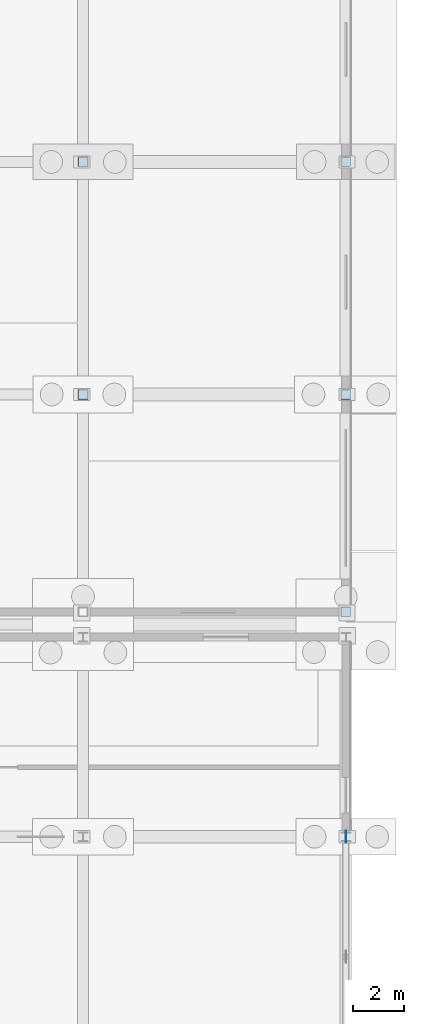
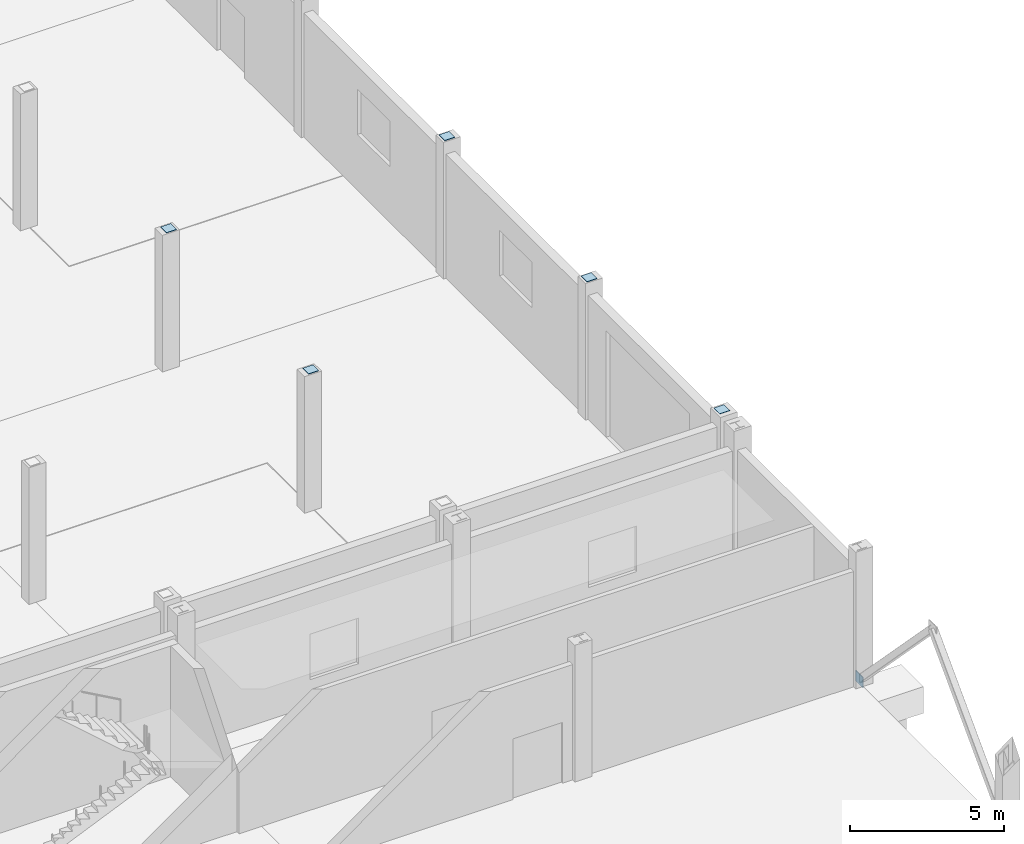
# One storey, part 48 of 83: 6 plates.
"""IFC4 building model written with IfcOpenShell, lengths in metres."""

from ifc_helpers import new_model, si_unit, direction, frame, origin, origin_2d, place, context, subcontext, project, spatial, rectangle, extrude, material, layer, layer_set, type_object, element, save


model = new_model("IFC4")

# Units and contexts
model_context = context("Model", 3, precision=1e-05, world=origin(), true_north=direction((0.0, 1.0)))
body_context = subcontext(model_context, "Body", "Model", "MODEL_VIEW")
ifc_project = project(units=[si_unit("LENGTHUNIT", "METRE"), si_unit("AREAUNIT", "SQUARE_METRE"), si_unit("VOLUMEUNIT", "CUBIC_METRE"), si_unit("PLANEANGLEUNIT", "RADIAN"), si_unit("MASSUNIT", "GRAM", prefix="KILO")], contexts=[model_context])

# Site, building, storey
site_placement = place(None, origin())
site = spatial("IfcSite", under=ifc_project, at=site_placement, CompositionType="ELEMENT")
building_placement = place(site_placement, origin())
building = spatial("IfcBuilding", under=site, at=building_placement, Name="Caurita Quay Ferry Terminal", CompositionType="ELEMENT")
storey_placement = place(building_placement, origin())
storey = spatial("IfcBuildingStorey", under=building, at=storey_placement, Name="L00", CompositionType="ELEMENT", Elevation=0.0)

# Plates
ifc_material = material(Name="Structural plate steel ASTM A572 Gr. 50", Category="steel")
ifc_layer = layer(ifc_material, 0.01806640625, Name="Structural steel connection plate 18 mm")
ifc_layer_set = layer_set([ifc_layer], Name="Structural plate steel ASTM A572 Gr. 50")
plate_type = type_object("IfcPlateType", Name="PLT-STL-18", PredefinedType="USERDEFINED", material=ifc_layer_set)
for number, where, z_axis, x_axis, name in (
    (1, (163.60009765625, 80.199951171875, 5.39892578125), (0.0, 0.0, 1.0), (1.0, 0.0, 0.0), "L00 Hollow Column End-Cap Plate V4-18-M"),
    (2, (163.60009765625, 89.39990234375, 5.39892578125), (0.0, 0.0, 1.0), (1.0, 0.0, 0.0), "L00 Hollow Column End-Cap Plate V4-18-N"),
    (3, (174.0, 71.60009765625, 5.39892578125), (0.0, 0.0, 1.0), (1.0, 0.0, 0.0), "L00 Hollow Column End-Cap Plate V4-19-L"),
    (4, (174.0, 80.199951171875, 5.39892578125), (0.0, 0.0, 1.0), (1.0, 0.0, 0.0), "L00 Hollow Column End-Cap Plate V4-19-M"),
    (5, (174.0, 89.39990234375, 5.39892578125), (0.0, 0.0, 1.0), (1.0, 0.0, 0.0), "L00 Hollow Column End-Cap Plate V4-19-N"),
):
    element("IfcPlate", number, at=place(storey_placement, frame(where, z_axis=z_axis, x_axis=x_axis)), inside=storey, type_object=plate_type, Name=name, ObjectType="GUSSET PLATE", PredefinedType="USERDEFINED", context=body_context, shape_type="SweptSolid", body=[
        extrude(rectangle(XDim=0.3798828125, YDim=0.3798828125, at=origin_2d()), origin(), (0.0, 0.0, 1.0), 0.01806640625),
    ])
plate_placement = place(storey_placement, frame((174.0, 62.699951171875, -0.06005859375), z_axis=(0.0, 0.0, 1.0), x_axis=(0.0, 1.0, 0.0)))
element("IfcPlate", 6, at=plate_placement, inside=storey, type_object=plate_type, Name="L00 Seismic Brace Gusset 06-BSR", ObjectType="GUSSET PLATE", PredefinedType="USERDEFINED", context=body_context, shape_type="SweptSolid", body=[
    extrude(rectangle(XDim=0.47998046875, YDim=0.02490234375, at=origin_2d()), origin(), (0.0, 0.0, 1.0), 0.419921875),
])

save(model, "model.ifc")
